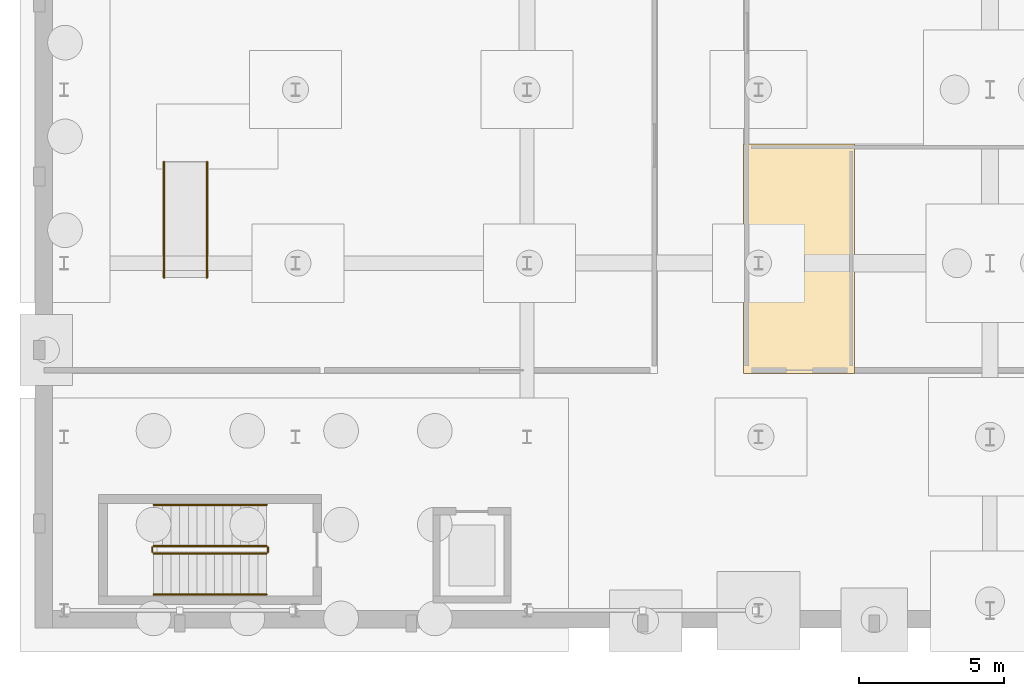
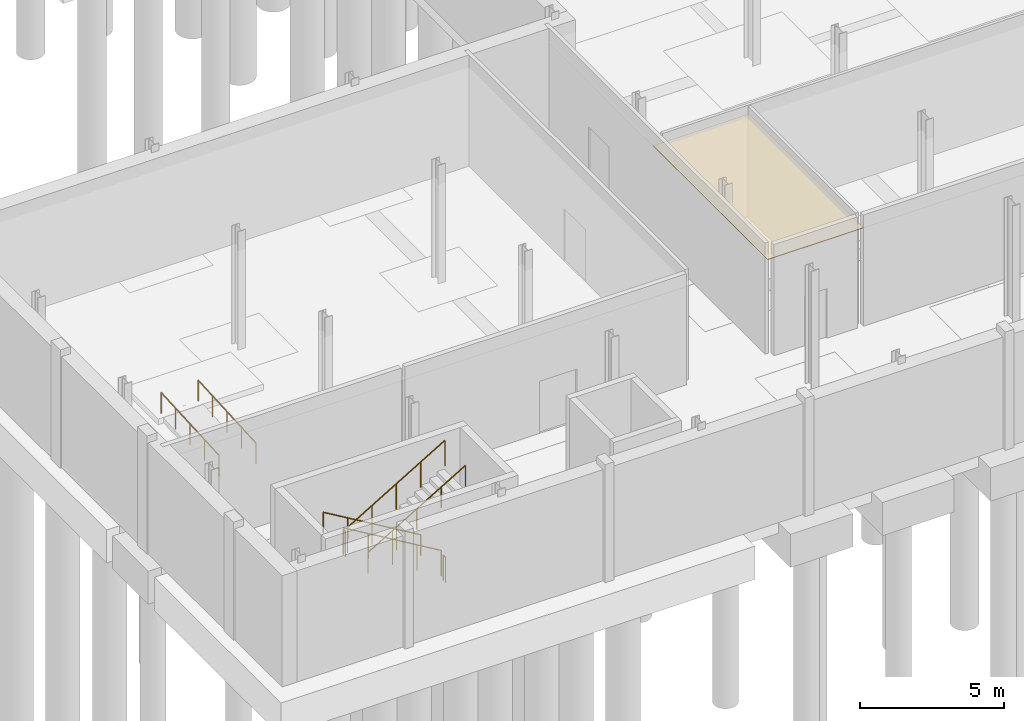
# One storey, part 32 of 47: 8 railings, 1 covering.
"""IFC4 building model written with IfcOpenShell, lengths in metres."""

from ifc_helpers import new_model, si_unit, direction, frame, origin, origin_2d, place, context, subcontext, project, spatial, polyline, circle, outline, extrude, material, layer, layer_set, type_object, element, save


model = new_model("IFC4")

# Units and contexts
model_context = context("Model", 3, precision=1e-05, world=origin(), true_north=direction((0.0, 1.0)))
body_context = subcontext(model_context, "Body", "Model", "MODEL_VIEW")
ifc_project = project(units=[si_unit("LENGTHUNIT", "METRE"), si_unit("AREAUNIT", "SQUARE_METRE"), si_unit("VOLUMEUNIT", "CUBIC_METRE"), si_unit("PLANEANGLEUNIT", "RADIAN"), si_unit("MASSUNIT", "GRAM", prefix="KILO")], contexts=[model_context])

# Site, building, storey
site_placement = place(None, origin())
site = spatial("IfcSite", under=ifc_project, at=site_placement, CompositionType="ELEMENT")
building_placement = place(site_placement, origin())
building = spatial("IfcBuilding", under=site, at=building_placement, Name="Cymarion Research Institute", CompositionType="ELEMENT")
storey_placement = place(building_placement, frame((0.0, 0.0, -5.0)))
storey = spatial("IfcBuildingStorey", under=building, at=storey_placement, Name="B1", CompositionType="ELEMENT", Elevation=-5.0)

# Covering
ifc_material_1 = material(Name="Micro-perforated mineral acoustic ceiling tile", Category="gypsum")
ifc_layer = layer(ifc_material_1, 0.030029296875)
ifc_layer_set = layer_set([ifc_layer], Name="Micro-perforated mineral acoustic ceiling tile")
covering_type = type_object("IfcCoveringType", Name="ACOUSTIC MICRO-PERFORATED SUSPENDED CEILING CLG-01", PredefinedType="CEILING", material=ifc_layer_set)
covering_placement = place(storey_placement, frame((0.0, 0.0, 4.14990234375)))
element("IfcCovering", 1, at=covering_placement, inside=storey, type_object=covering_type, Name="B1 B1 V3 Accessible WC acoustic ceiling", PredefinedType="CEILING", context=body_context, shape_type="SweptSolid", body=[
    extrude(outline(polyline([(33.9150390625, 21.614990234375), (33.9150390625, 13.68505859375), (30.0849609375, 13.68505859375), (30.0849609375, 21.614990234375), (33.9150390625, 21.614990234375)])), origin(), (0.0, 0.0, 1.0), 0.030029296875),
])

# Railings
ifc_material_2 = material(Name="Steel S355", Category="steel")
railing_type_1 = type_object("IfcRailingType", Name="PAINTED STEEL STAIR GUARDRAIL GR1 1100MM", PredefinedType="GUARDRAIL", material=ifc_material_2)
railing_1_placement = place(storey_placement, frame((13.60009765625, 7.72998046875, 0.178466796875)))
element("IfcRailing", 2, at=railing_1_placement, inside=storey, type_object=railing_type_1, Name="B1 ST5 stair guard 1", PredefinedType="GUARDRAIL", context=body_context, shape_type="SweptSolid", body=[
    extrude(circle(Radius=0.02392578125, at=origin_2d()), frame((0.0, 0.0, 1.076171875), z_axis=(-0.859291195736, 0.0, 0.511486696729), x_axis=(0.0, -1.0, 0.0)), (0.0, 0.0, 1.0), 4.538818359375),
    extrude(circle(Radius=0.02099609375, at=origin_2d()), origin(), (0.0, 0.0, 1.0), 1.052001953125),
    extrude(circle(Radius=0.02099609375, at=origin_2d()), frame((-0.97509765625, 0.0, 0.580322265625)), (0.0, 0.0, 1.0), 1.052001953125),
    extrude(circle(Radius=0.02099609375, at=origin_2d()), frame((-1.9501953125, 0.0, 1.16064453125)), (0.0, 0.0, 1.0), 1.052001953125),
    extrude(circle(Radius=0.02099609375, at=origin_2d()), frame((-2.925048828125, 0.0, 1.7412109375)), (0.0, 0.0, 1.0), 1.052001953125),
    extrude(circle(Radius=0.02099609375, at=origin_2d()), frame((-3.900146484375, 0.0, 2.321533203125)), (0.0, 0.0, 1.0), 1.052001953125),
])
railing_2_placement = place(storey_placement, frame((9.64990234375, 7.679931640625, 2.5)))
element("IfcRailing", 3, at=railing_2_placement, inside=storey, type_object=railing_type_1, Name="B1 ST5 stair guard 2", PredefinedType="GUARDRAIL", context=body_context, shape_type="SweptSolid", body=[
    extrude(circle(Radius=0.02392578125, at=origin_2d()), frame((0.0, 0.0, 1.076171875), z_axis=(0.0, -1.0, 0.0), x_axis=(1.0, 0.0, 0.0)), (0.0, 0.0, 1.0), 0.159912109375),
    extrude(circle(Radius=0.02099609375, at=origin_2d()), origin(), (0.0, 0.0, 1.0), 1.052001953125),
    extrude(circle(Radius=0.02099609375, at=origin_2d()), frame((0.0, -0.159912109375, 0.0)), (0.0, 0.0, 1.0), 1.052001953125),
])
railing_3_placement = place(storey_placement, frame((9.699951171875, 7.469970703125, 2.678466796875)))
element("IfcRailing", 4, at=railing_3_placement, inside=storey, type_object=railing_type_1, Name="B1 ST5 stair guard 3", PredefinedType="GUARDRAIL", context=body_context, shape_type="SweptSolid", body=[
    extrude(circle(Radius=0.02392578125, at=origin_2d()), frame((0.0, 0.0, 1.076171875), z_axis=(0.859291195736, 0.0, 0.511486696729), x_axis=(0.0, 1.0, 0.0)), (0.0, 0.0, 1.0), 4.538818359375),
    extrude(circle(Radius=0.02099609375, at=origin_2d()), origin(), (0.0, 0.0, 1.0), 1.052001953125),
    extrude(circle(Radius=0.02099609375, at=origin_2d()), frame((0.97509765625, 0.0, 0.580322265625)), (0.0, 0.0, 1.0), 1.052001953125),
    extrude(circle(Radius=0.02099609375, at=origin_2d()), frame((1.9501953125, 0.0, 1.16064453125)), (0.0, 0.0, 1.0), 1.052001953125),
    extrude(circle(Radius=0.02099609375, at=origin_2d()), frame((2.925048828125, 0.0, 1.7412109375)), (0.0, 0.0, 1.0), 1.052001953125),
    extrude(circle(Radius=0.02099609375, at=origin_2d()), frame((3.900146484375, 0.0, 2.321533203125)), (0.0, 0.0, 1.0), 1.052001953125),
])
railing_4_placement = place(storey_placement, frame((13.64990234375, 7.679931640625, 0.0)))
element("IfcRailing", 5, at=railing_4_placement, inside=storey, type_object=railing_type_1, Name="B1 ST5 stair guard 4", PredefinedType="GUARDRAIL", context=body_context, shape_type="SweptSolid", body=[
    extrude(circle(Radius=0.02392578125, at=origin_2d()), frame((0.0, 0.0, 1.076171875), z_axis=(0.0, -1.0, 0.0), x_axis=(1.0, 0.0, 0.0)), (0.0, 0.0, 1.0), 0.159912109375),
    extrude(circle(Radius=0.02099609375, at=origin_2d()), origin(), (0.0, 0.0, 1.0), 1.052001953125),
    extrude(circle(Radius=0.02099609375, at=origin_2d()), frame((0.0, -0.159912109375, 0.0)), (0.0, 0.0, 1.0), 1.052001953125),
])
railing_type_2 = type_object("IfcRailingType", Name="STAINLESS STEEL RAMP HANDRAIL HR-RMP", PredefinedType="HANDRAIL", material=ifc_material_2)
for number, where, name in (
    (6, (10.06005859375, 17.0, 0.02001953125), "Ramp R4 stainless handrail 1"),
    (7, (11.5400390625, 17.0, 0.02001953125), "Ramp R4 stainless handrail 2"),
):
    element("IfcRailing", number, at=place(storey_placement, frame(where)), inside=storey, type_object=railing_type_2, Name=name, PredefinedType="HANDRAIL", context=body_context, shape_type="SweptSolid", body=[
        extrude(circle(Radius=0.02392578125, at=origin_2d()), frame((0.0, 0.0, 0.8759765625), z_axis=(0.0, 0.998351242335, 0.057400321672), x_axis=(-1.0, 0.0, 0.0)), (0.0, 0.0, 1.0), 4.006591796875),
        extrude(circle(Radius=0.02099609375, at=origin_2d()), origin(), (0.0, 0.0, 1.0), 0.851806640625),
        extrude(circle(Radius=0.02099609375, at=origin_2d()), frame((0.0, 1.0, 0.0576171875)), (0.0, 0.0, 1.0), 0.851806640625),
        extrude(circle(Radius=0.02099609375, at=origin_2d()), frame((0.0, 2.0, 0.114990234375)), (0.0, 0.0, 1.0), 0.851806640625),
        extrude(circle(Radius=0.02099609375, at=origin_2d()), frame((0.0, 3.0, 0.17236328125)), (0.0, 0.0, 1.0), 0.851806640625),
        extrude(circle(Radius=0.02099609375, at=origin_2d()), frame((0.0, 4.0, 0.22998046875)), (0.0, 0.0, 1.0), 0.851806640625),
    ])
railing_type_3 = type_object("IfcRailingType", Name="STAINLESS STEEL STAIR HANDRAIL HR1 900MM", PredefinedType="HANDRAIL", material=ifc_material_2)
railing_5_placement = place(storey_placement, frame((13.60009765625, 9.14990234375, 0.178466796875)))
element("IfcRailing", 8, at=railing_5_placement, inside=storey, type_object=railing_type_3, Name="B1 ST5 stair handrail 1", PredefinedType="HANDRAIL", context=body_context, shape_type="SweptSolid", body=[
    extrude(circle(Radius=0.02392578125, at=origin_2d()), frame((0.0, 0.0, 0.8759765625), z_axis=(-0.859291195736, 0.0, 0.511486696729), x_axis=(0.0, -1.0, 0.0)), (0.0, 0.0, 1.0), 4.538818359375),
    extrude(circle(Radius=0.02099609375, at=origin_2d()), origin(), (0.0, 0.0, 1.0), 0.851806640625),
    extrude(circle(Radius=0.02099609375, at=origin_2d()), frame((-0.97509765625, 0.0, 0.580322265625)), (0.0, 0.0, 1.0), 0.851806640625),
    extrude(circle(Radius=0.02099609375, at=origin_2d()), frame((-1.9501953125, 0.0, 1.16064453125)), (0.0, 0.0, 1.0), 0.851806640625),
    extrude(circle(Radius=0.02099609375, at=origin_2d()), frame((-2.925048828125, 0.0, 1.7412109375)), (0.0, 0.0, 1.0), 0.851806640625),
    extrude(circle(Radius=0.02099609375, at=origin_2d()), frame((-3.900146484375, 0.0, 2.321533203125)), (0.0, 0.0, 1.0), 0.851806640625),
])
railing_6_placement = place(storey_placement, frame((9.699951171875, 6.050048828125, 2.678466796875)))
element("IfcRailing", 9, at=railing_6_placement, inside=storey, type_object=railing_type_3, Name="B1 ST5 stair handrail 2", PredefinedType="HANDRAIL", context=body_context, shape_type="SweptSolid", body=[
    extrude(circle(Radius=0.02392578125, at=origin_2d()), frame((0.0, 0.0, 0.8759765625), z_axis=(0.859291195736, 0.0, 0.511486696729), x_axis=(0.0, 1.0, 0.0)), (0.0, 0.0, 1.0), 4.538818359375),
    extrude(circle(Radius=0.02099609375, at=origin_2d()), origin(), (0.0, 0.0, 1.0), 0.851806640625),
    extrude(circle(Radius=0.02099609375, at=origin_2d()), frame((0.97509765625, 0.0, 0.580322265625)), (0.0, 0.0, 1.0), 0.851806640625),
    extrude(circle(Radius=0.02099609375, at=origin_2d()), frame((1.9501953125, 0.0, 1.16064453125)), (0.0, 0.0, 1.0), 0.851806640625),
    extrude(circle(Radius=0.02099609375, at=origin_2d()), frame((2.925048828125, 0.0, 1.7412109375)), (0.0, 0.0, 1.0), 0.851806640625),
    extrude(circle(Radius=0.02099609375, at=origin_2d()), frame((3.900146484375, 0.0, 2.321533203125)), (0.0, 0.0, 1.0), 0.851806640625),
])

save(model, "model.ifc")
